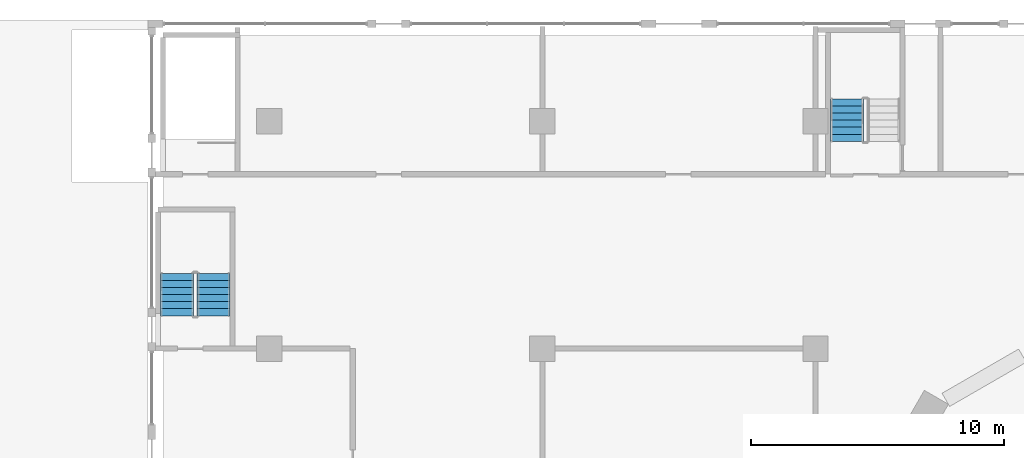
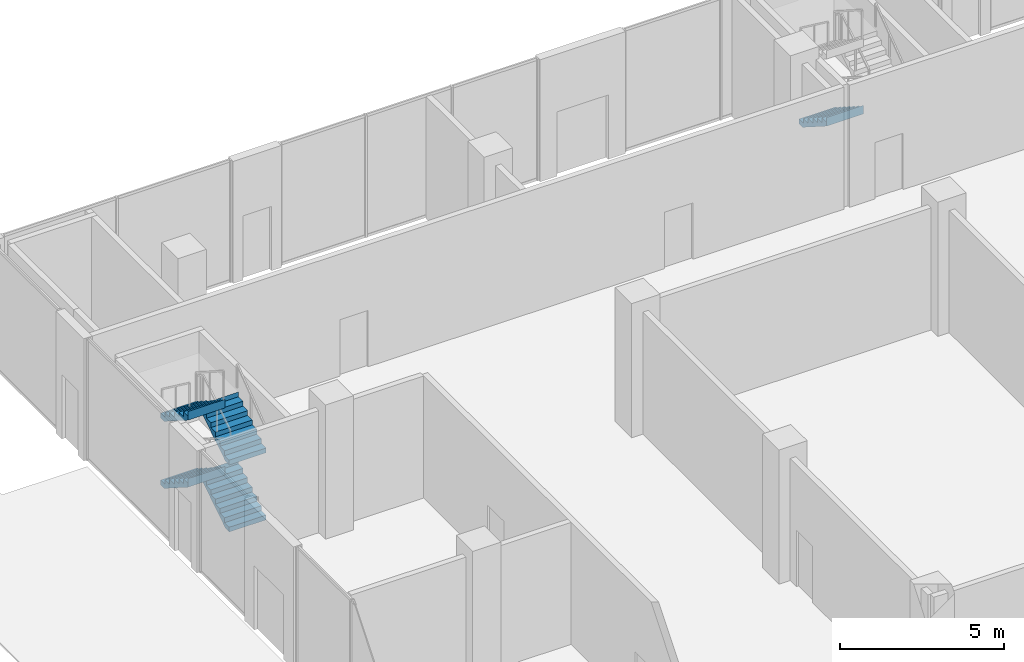
# One storey, part 44 of 57: 5 stair flights, 2 elements without a shape of their own.
"""IFC4 building model written with IfcOpenShell, lengths in metres."""

from ifc_helpers import new_model, si_unit, direction, frame, origin, place, context, subcontext, project, spatial, triangles, material, type_object, element, aggregate, save


model = new_model("IFC4")

# Units and contexts
model_context = context("Model", 3, precision=1e-05, world=origin(), true_north=direction((0.0, 1.0)))
body_context = subcontext(model_context, "Body", "Model", "MODEL_VIEW")
ifc_project = project(units=[si_unit("LENGTHUNIT", "METRE"), si_unit("AREAUNIT", "SQUARE_METRE"), si_unit("VOLUMEUNIT", "CUBIC_METRE"), si_unit("PLANEANGLEUNIT", "RADIAN"), si_unit("MASSUNIT", "GRAM", prefix="KILO")], contexts=[model_context])

# Site, building, storey
site_placement = place(None, origin())
site = spatial("IfcSite", under=ifc_project, at=site_placement, CompositionType="ELEMENT")
building_placement = place(site_placement, origin())
building = spatial("IfcBuilding", under=site, at=building_placement, Name="Beryl Residences", CompositionType="ELEMENT")
storey_placement = place(building_placement, origin())
storey = spatial("IfcBuildingStorey", under=building, at=storey_placement, Name="L00", CompositionType="ELEMENT", Elevation=0.0)

# Stair, stair flight
ifc_material_1 = material(Name="Concrete C40/50", Category="concrete")
stair_type = type_object("IfcStairType", Name="ST1 protected exit stair, half-turn, 1300 mm flights", PredefinedType="HALF_TURN_STAIR", material=ifc_material_1)
stair_1_placement = place(storey_placement, origin())
stair_1 = element("IfcStair", 1, at=stair_1_placement, inside=storey, type_object=stair_type, Name="L00 Podium exit stair 1", PredefinedType="HALF_TURN_STAIR")
ifc_material_2 = material(Name="Concrete C40/50", Category="concrete")
stair_flight_type = type_object("IfcStairFlightType", Name="SF1 stair flight 1300 mm", PredefinedType="STRAIGHT", material=ifc_material_2)
stair_flight_1_placement = place(storey_placement, frame((-20.35009765625, 36.8798828125, 1.25), z_axis=(0.0, 0.0, 1.0), x_axis=(0.0, -1.0, 0.0)))
stair_flight_1 = element("IfcStairFlight", 2, at=stair_flight_1_placement, type_object=stair_flight_type, Name="PS-1 flight 2", NumberOfRisers=7, NumberOfTreads=6, PredefinedType="STRAIGHT", RiserHeight=0.178571429, TreadLength=0.28, context=body_context, shape_type="Tessellation", body=[
    triangles([(0.0, -0.64990234375, 0.0), (0.0, -0.324951171875, 0.0), (0.0, 0.0, 0.0), (0.0, 0.324951171875, 0.0), (0.0, 0.64990234375, 0.0), (0.0, -0.64990234375, 0.178466796875), (0.0, -0.324951171875, 0.178466796875), (0.0, 0.0, 0.178466796875), (0.0, 0.324951171875, 0.178466796875), (0.0, 0.64990234375, 0.178466796875), (0.280029296875, -0.64990234375, 0.178466796875), (0.280029296875, -0.324951171875, 0.178466796875), (0.280029296875, 0.0, 0.178466796875), (0.280029296875, 0.324951171875, 0.178466796875), (0.280029296875, 0.64990234375, 0.178466796875), (0.280029296875, -0.64990234375, 0.357177734375), (0.280029296875, -0.324951171875, 0.357177734375), (0.280029296875, 0.0, 0.357177734375), (0.280029296875, 0.324951171875, 0.357177734375), (0.280029296875, 0.64990234375, 0.357177734375), (0.56005859375, -0.64990234375, 0.357177734375), (0.56005859375, -0.324951171875, 0.357177734375), (0.56005859375, 0.0, 0.357177734375), (0.56005859375, 0.324951171875, 0.357177734375), (0.56005859375, 0.64990234375, 0.357177734375), (0.56005859375, -0.64990234375, 0.53564453125), (0.56005859375, -0.324951171875, 0.53564453125), (0.56005859375, 0.0, 0.53564453125), (0.56005859375, 0.324951171875, 0.53564453125), (0.56005859375, 0.64990234375, 0.53564453125), (0.840087890625, -0.64990234375, 0.53564453125), (0.840087890625, -0.324951171875, 0.53564453125), (0.840087890625, 0.0, 0.53564453125), (0.840087890625, 0.324951171875, 0.53564453125), (0.840087890625, 0.64990234375, 0.53564453125), (0.840087890625, -0.64990234375, 0.71435546875), (0.840087890625, -0.324951171875, 0.71435546875), (0.840087890625, 0.0, 0.71435546875), (0.840087890625, 0.324951171875, 0.71435546875), (0.840087890625, 0.64990234375, 0.71435546875), (1.1201171875, -0.64990234375, 0.71435546875), (1.1201171875, -0.324951171875, 0.71435546875), (1.1201171875, 0.0, 0.71435546875), (1.1201171875, 0.324951171875, 0.71435546875), (1.1201171875, 0.64990234375, 0.71435546875), (1.1201171875, -0.64990234375, 0.892822265625), (1.1201171875, -0.324951171875, 0.892822265625), (1.1201171875, 0.0, 0.892822265625), (1.1201171875, 0.324951171875, 0.892822265625), (1.1201171875, 0.64990234375, 0.892822265625), (1.39990234375, -0.64990234375, 0.892822265625), (1.39990234375, -0.324951171875, 0.892822265625), (1.39990234375, 0.0, 0.892822265625), (1.39990234375, 0.324951171875, 0.892822265625), (1.39990234375, 0.64990234375, 0.892822265625), (1.39990234375, -0.64990234375, 1.071533203125), (1.39990234375, -0.324951171875, 1.071533203125), (1.39990234375, 0.0, 1.071533203125), (1.39990234375, 0.324951171875, 1.071533203125), (1.39990234375, 0.64990234375, 1.071533203125), (1.679931640625, -0.64990234375, 1.071533203125), (1.679931640625, -0.324951171875, 1.071533203125), (1.679931640625, 0.0, 1.071533203125), (1.679931640625, 0.324951171875, 1.071533203125), (1.679931640625, 0.64990234375, 1.071533203125), (1.679931640625, -0.64990234375, 1.25), (1.679931640625, -0.324951171875, 1.25), (1.679931640625, 0.0, 1.25), (1.679931640625, 0.324951171875, 1.25), (1.679931640625, 0.64990234375, 1.25), (1.680908203125, -0.64990234375, 1.25), (1.680908203125, -0.324951171875, 1.25), (1.680908203125, 0.0, 1.25), (1.680908203125, 0.324951171875, 1.25), (1.680908203125, 0.64990234375, 1.25), (1.680908203125, -0.64990234375, 0.928955078125), (1.680908203125, -0.324951171875, 0.928955078125), (1.680908203125, 0.0, 0.928955078125), (1.680908203125, 0.324951171875, 0.928955078125), (1.680908203125, 0.64990234375, 0.928955078125), (0.224365234375, -0.64990234375, 0.0), (0.224365234375, -0.324951171875, 0.0), (0.224365234375, 0.0, 0.0), (0.224365234375, 0.324951171875, 0.0), (0.224365234375, 0.64990234375, 0.0)], [[1, 6, 7], [1, 7, 2], [2, 7, 8], [2, 8, 3], [3, 8, 9], [3, 9, 4], [4, 9, 10], [4, 10, 5], [6, 11, 12], [6, 12, 7], [7, 12, 13], [7, 13, 8], [8, 13, 14], [8, 14, 9], [9, 14, 15], [9, 15, 10], [11, 16, 17], [11, 17, 12], [12, 17, 18], [12, 18, 13], [13, 18, 19], [13, 19, 14], [14, 19, 20], [14, 20, 15], [16, 21, 22], [16, 22, 17], [17, 22, 23], [17, 23, 18], [18, 23, 24], [18, 24, 19], [19, 24, 25], [19, 25, 20], [21, 26, 27], [21, 27, 22], [22, 27, 28], [22, 28, 23], [23, 28, 29], [23, 29, 24], [24, 29, 30], [24, 30, 25], [26, 31, 32], [26, 32, 27], [27, 32, 33], [27, 33, 28], [28, 33, 34], [28, 34, 29], [29, 34, 35], [29, 35, 30], [31, 36, 37], [31, 37, 32], [32, 37, 38], [32, 38, 33], [33, 38, 39], [33, 39, 34], [34, 39, 40], [34, 40, 35], [36, 41, 42], [36, 42, 37], [37, 42, 43], [37, 43, 38], [38, 43, 44], [38, 44, 39], [39, 44, 45], [39, 45, 40], [41, 46, 47], [41, 47, 42], [42, 47, 48], [42, 48, 43], [43, 48, 49], [43, 49, 44], [44, 49, 50], [44, 50, 45], [46, 51, 52], [46, 52, 47], [47, 52, 53], [47, 53, 48], [48, 53, 54], [48, 54, 49], [49, 54, 55], [49, 55, 50], [51, 56, 57], [51, 57, 52], [52, 57, 58], [52, 58, 53], [53, 58, 59], [53, 59, 54], [54, 59, 60], [54, 60, 55], [56, 61, 62], [56, 62, 57], [57, 62, 63], [57, 63, 58], [58, 63, 64], [58, 64, 59], [59, 64, 65], [59, 65, 60], [61, 66, 67], [61, 67, 62], [62, 67, 68], [62, 68, 63], [63, 68, 69], [63, 69, 64], [64, 69, 70], [64, 70, 65], [66, 71, 72], [66, 72, 67], [67, 72, 73], [67, 73, 68], [68, 73, 74], [68, 74, 69], [69, 74, 75], [69, 75, 70], [71, 76, 77], [71, 77, 72], [72, 77, 78], [72, 78, 73], [73, 78, 79], [73, 79, 74], [74, 79, 80], [74, 80, 75], [76, 81, 82], [76, 82, 77], [77, 82, 83], [77, 83, 78], [78, 83, 84], [78, 84, 79], [79, 84, 85], [79, 85, 80], [81, 1, 2], [81, 2, 82], [82, 2, 3], [82, 3, 83], [83, 3, 4], [83, 4, 84], [84, 4, 5], [84, 5, 85], [1, 81, 76], [5, 80, 85], [76, 71, 66], [80, 70, 75], [76, 66, 61], [80, 65, 70], [76, 61, 56], [80, 60, 65], [76, 56, 51], [80, 55, 60], [51, 46, 41], [55, 45, 50], [76, 51, 41], [80, 45, 55], [41, 36, 31], [45, 35, 40], [76, 41, 31], [80, 35, 45], [31, 26, 21], [35, 25, 30], [76, 31, 21], [80, 25, 35], [21, 16, 11], [25, 15, 20], [76, 21, 11], [80, 15, 25], [1, 76, 11], [5, 15, 80], [11, 6, 1], [15, 5, 10]], closed=True),
])
aggregate(stair_1, [stair_flight_1])

# Stair, stair flights
stair_2_placement = place(storey_placement, origin())
stair_2 = element("IfcStair", 3, at=stair_2_placement, inside=storey, type_object=stair_type, Name="L00 Podium exit stair 3", PredefinedType="HALF_TURN_STAIR")
stair_flight_2_placement = place(storey_placement, frame((-45.39990234375, 28.300048828125, 0.0), z_axis=(0.0, 0.0, 1.0), x_axis=(0.0, 1.0, 0.0)))
stair_flight_2 = element("IfcStairFlight", 4, at=stair_flight_2_placement, type_object=stair_flight_type, Name="PS-3 flight 1", NumberOfRisers=7, NumberOfTreads=6, PredefinedType="STRAIGHT", RiserHeight=0.178571429, TreadLength=0.28, context=body_context, shape_type="Tessellation", body=[
    triangles([(0.0, -0.64990234375, 0.0), (0.0, -0.324951171875, 0.0), (0.0, 0.0, 0.0), (0.0, 0.324951171875, 0.0), (0.0, 0.64990234375, 0.0), (0.0, -0.64990234375, 0.178466796875), (0.0, -0.324951171875, 0.178466796875), (0.0, 0.0, 0.178466796875), (0.0, 0.324951171875, 0.178466796875), (0.0, 0.64990234375, 0.178466796875), (0.280029296875, -0.64990234375, 0.178466796875), (0.280029296875, -0.324951171875, 0.178466796875), (0.280029296875, 0.0, 0.178466796875), (0.280029296875, 0.324951171875, 0.178466796875), (0.280029296875, 0.64990234375, 0.178466796875), (0.280029296875, -0.64990234375, 0.357177734375), (0.280029296875, -0.324951171875, 0.357177734375), (0.280029296875, 0.0, 0.357177734375), (0.280029296875, 0.324951171875, 0.357177734375), (0.280029296875, 0.64990234375, 0.357177734375), (0.56005859375, -0.64990234375, 0.357177734375), (0.56005859375, -0.324951171875, 0.357177734375), (0.56005859375, 0.0, 0.357177734375), (0.56005859375, 0.324951171875, 0.357177734375), (0.56005859375, 0.64990234375, 0.357177734375), (0.56005859375, -0.64990234375, 0.53564453125), (0.56005859375, -0.324951171875, 0.53564453125), (0.56005859375, 0.0, 0.53564453125), (0.56005859375, 0.324951171875, 0.53564453125), (0.56005859375, 0.64990234375, 0.53564453125), (0.840087890625, -0.64990234375, 0.53564453125), (0.840087890625, -0.324951171875, 0.53564453125), (0.840087890625, 0.0, 0.53564453125), (0.840087890625, 0.324951171875, 0.53564453125), (0.840087890625, 0.64990234375, 0.53564453125), (0.840087890625, -0.64990234375, 0.71435546875), (0.840087890625, -0.324951171875, 0.71435546875), (0.840087890625, 0.0, 0.71435546875), (0.840087890625, 0.324951171875, 0.71435546875), (0.840087890625, 0.64990234375, 0.71435546875), (1.1201171875, -0.64990234375, 0.71435546875), (1.1201171875, -0.324951171875, 0.71435546875), (1.1201171875, 0.0, 0.71435546875), (1.1201171875, 0.324951171875, 0.71435546875), (1.1201171875, 0.64990234375, 0.71435546875), (1.1201171875, -0.64990234375, 0.892822265625), (1.1201171875, -0.324951171875, 0.892822265625), (1.1201171875, 0.0, 0.892822265625), (1.1201171875, 0.324951171875, 0.892822265625), (1.1201171875, 0.64990234375, 0.892822265625), (1.39990234375, -0.64990234375, 0.892822265625), (1.39990234375, -0.324951171875, 0.892822265625), (1.39990234375, 0.0, 0.892822265625), (1.39990234375, 0.324951171875, 0.892822265625), (1.39990234375, 0.64990234375, 0.892822265625), (1.39990234375, -0.64990234375, 1.071533203125), (1.39990234375, -0.324951171875, 1.071533203125), (1.39990234375, 0.0, 1.071533203125), (1.39990234375, 0.324951171875, 1.071533203125), (1.39990234375, 0.64990234375, 1.071533203125), (1.679931640625, -0.64990234375, 1.071533203125), (1.679931640625, -0.324951171875, 1.071533203125), (1.679931640625, 0.0, 1.071533203125), (1.679931640625, 0.324951171875, 1.071533203125), (1.679931640625, 0.64990234375, 1.071533203125), (1.679931640625, -0.64990234375, 1.25), (1.679931640625, -0.324951171875, 1.25), (1.679931640625, 0.0, 1.25), (1.679931640625, 0.324951171875, 1.25), (1.679931640625, 0.64990234375, 1.25), (1.680908203125, -0.64990234375, 1.25), (1.680908203125, -0.324951171875, 1.25), (1.680908203125, 0.0, 1.25), (1.680908203125, 0.324951171875, 1.25), (1.680908203125, 0.64990234375, 1.25), (1.680908203125, -0.64990234375, 0.928955078125), (1.680908203125, -0.324951171875, 0.928955078125), (1.680908203125, 0.0, 0.928955078125), (1.680908203125, 0.324951171875, 0.928955078125), (1.680908203125, 0.64990234375, 0.928955078125), (0.224365234375, -0.64990234375, 0.0), (0.224365234375, -0.324951171875, 0.0), (0.224365234375, 0.0, 0.0), (0.224365234375, 0.324951171875, 0.0), (0.224365234375, 0.64990234375, 0.0)], [[1, 6, 7], [1, 7, 2], [2, 7, 8], [2, 8, 3], [3, 8, 9], [3, 9, 4], [4, 9, 10], [4, 10, 5], [6, 11, 12], [6, 12, 7], [7, 12, 13], [7, 13, 8], [8, 13, 14], [8, 14, 9], [9, 14, 15], [9, 15, 10], [11, 16, 17], [11, 17, 12], [12, 17, 18], [12, 18, 13], [13, 18, 19], [13, 19, 14], [14, 19, 20], [14, 20, 15], [16, 21, 22], [16, 22, 17], [17, 22, 23], [17, 23, 18], [18, 23, 24], [18, 24, 19], [19, 24, 25], [19, 25, 20], [21, 26, 27], [21, 27, 22], [22, 27, 28], [22, 28, 23], [23, 28, 29], [23, 29, 24], [24, 29, 30], [24, 30, 25], [26, 31, 32], [26, 32, 27], [27, 32, 33], [27, 33, 28], [28, 33, 34], [28, 34, 29], [29, 34, 35], [29, 35, 30], [31, 36, 37], [31, 37, 32], [32, 37, 38], [32, 38, 33], [33, 38, 39], [33, 39, 34], [34, 39, 40], [34, 40, 35], [36, 41, 42], [36, 42, 37], [37, 42, 43], [37, 43, 38], [38, 43, 44], [38, 44, 39], [39, 44, 45], [39, 45, 40], [41, 46, 47], [41, 47, 42], [42, 47, 48], [42, 48, 43], [43, 48, 49], [43, 49, 44], [44, 49, 50], [44, 50, 45], [46, 51, 52], [46, 52, 47], [47, 52, 53], [47, 53, 48], [48, 53, 54], [48, 54, 49], [49, 54, 55], [49, 55, 50], [51, 56, 57], [51, 57, 52], [52, 57, 58], [52, 58, 53], [53, 58, 59], [53, 59, 54], [54, 59, 60], [54, 60, 55], [56, 61, 62], [56, 62, 57], [57, 62, 63], [57, 63, 58], [58, 63, 64], [58, 64, 59], [59, 64, 65], [59, 65, 60], [61, 66, 67], [61, 67, 62], [62, 67, 68], [62, 68, 63], [63, 68, 69], [63, 69, 64], [64, 69, 70], [64, 70, 65], [66, 71, 72], [66, 72, 67], [67, 72, 73], [67, 73, 68], [68, 73, 74], [68, 74, 69], [69, 74, 75], [69, 75, 70], [71, 76, 77], [71, 77, 72], [72, 77, 78], [72, 78, 73], [73, 78, 79], [73, 79, 74], [74, 79, 80], [74, 80, 75], [76, 81, 82], [76, 82, 77], [77, 82, 83], [77, 83, 78], [78, 83, 84], [78, 84, 79], [79, 84, 85], [79, 85, 80], [81, 1, 2], [81, 2, 82], [82, 2, 3], [82, 3, 83], [83, 3, 4], [83, 4, 84], [84, 4, 5], [84, 5, 85], [1, 81, 76], [5, 80, 85], [76, 71, 66], [80, 70, 75], [76, 66, 61], [80, 65, 70], [76, 61, 56], [80, 60, 65], [76, 56, 51], [80, 55, 60], [51, 46, 41], [55, 45, 50], [76, 51, 41], [80, 45, 55], [41, 36, 31], [45, 35, 40], [76, 41, 31], [80, 35, 45], [31, 26, 21], [35, 25, 30], [76, 31, 21], [80, 25, 35], [21, 16, 11], [25, 15, 20], [76, 21, 11], [80, 15, 25], [1, 76, 11], [5, 15, 80], [11, 6, 1], [15, 5, 10]], closed=True),
])
stair_flight_3_placement = place(storey_placement, frame((-46.85009765625, 29.97998046875, 1.25), z_axis=(0.0, 0.0, 1.0), x_axis=(0.0, -1.0, 0.0)))
stair_flight_3 = element("IfcStairFlight", 5, at=stair_flight_3_placement, type_object=stair_flight_type, Name="PS-3 flight 2", NumberOfRisers=7, NumberOfTreads=6, PredefinedType="STRAIGHT", RiserHeight=0.178571429, TreadLength=0.28, context=body_context, shape_type="Tessellation", body=[
    triangles([(0.0, -0.64990234375, 0.0), (0.0, -0.324951171875, 0.0), (0.0, 0.0, 0.0), (0.0, 0.324951171875, 0.0), (0.0, 0.64990234375, 0.0), (0.0, -0.64990234375, 0.178466796875), (0.0, -0.324951171875, 0.178466796875), (0.0, 0.0, 0.178466796875), (0.0, 0.324951171875, 0.178466796875), (0.0, 0.64990234375, 0.178466796875), (0.280029296875, -0.64990234375, 0.178466796875), (0.280029296875, -0.324951171875, 0.178466796875), (0.280029296875, 0.0, 0.178466796875), (0.280029296875, 0.324951171875, 0.178466796875), (0.280029296875, 0.64990234375, 0.178466796875), (0.280029296875, -0.64990234375, 0.357177734375), (0.280029296875, -0.324951171875, 0.357177734375), (0.280029296875, 0.0, 0.357177734375), (0.280029296875, 0.324951171875, 0.357177734375), (0.280029296875, 0.64990234375, 0.357177734375), (0.56005859375, -0.64990234375, 0.357177734375), (0.56005859375, -0.324951171875, 0.357177734375), (0.56005859375, 0.0, 0.357177734375), (0.56005859375, 0.324951171875, 0.357177734375), (0.56005859375, 0.64990234375, 0.357177734375), (0.56005859375, -0.64990234375, 0.53564453125), (0.56005859375, -0.324951171875, 0.53564453125), (0.56005859375, 0.0, 0.53564453125), (0.56005859375, 0.324951171875, 0.53564453125), (0.56005859375, 0.64990234375, 0.53564453125), (0.840087890625, -0.64990234375, 0.53564453125), (0.840087890625, -0.324951171875, 0.53564453125), (0.840087890625, 0.0, 0.53564453125), (0.840087890625, 0.324951171875, 0.53564453125), (0.840087890625, 0.64990234375, 0.53564453125), (0.840087890625, -0.64990234375, 0.71435546875), (0.840087890625, -0.324951171875, 0.71435546875), (0.840087890625, 0.0, 0.71435546875), (0.840087890625, 0.324951171875, 0.71435546875), (0.840087890625, 0.64990234375, 0.71435546875), (1.1201171875, -0.64990234375, 0.71435546875), (1.1201171875, -0.324951171875, 0.71435546875), (1.1201171875, 0.0, 0.71435546875), (1.1201171875, 0.324951171875, 0.71435546875), (1.1201171875, 0.64990234375, 0.71435546875), (1.1201171875, -0.64990234375, 0.892822265625), (1.1201171875, -0.324951171875, 0.892822265625), (1.1201171875, 0.0, 0.892822265625), (1.1201171875, 0.324951171875, 0.892822265625), (1.1201171875, 0.64990234375, 0.892822265625), (1.39990234375, -0.64990234375, 0.892822265625), (1.39990234375, -0.324951171875, 0.892822265625), (1.39990234375, 0.0, 0.892822265625), (1.39990234375, 0.324951171875, 0.892822265625), (1.39990234375, 0.64990234375, 0.892822265625), (1.39990234375, -0.64990234375, 1.071533203125), (1.39990234375, -0.324951171875, 1.071533203125), (1.39990234375, 0.0, 1.071533203125), (1.39990234375, 0.324951171875, 1.071533203125), (1.39990234375, 0.64990234375, 1.071533203125), (1.679931640625, -0.64990234375, 1.071533203125), (1.679931640625, -0.324951171875, 1.071533203125), (1.679931640625, 0.0, 1.071533203125), (1.679931640625, 0.324951171875, 1.071533203125), (1.679931640625, 0.64990234375, 1.071533203125), (1.679931640625, -0.64990234375, 1.25), (1.679931640625, -0.324951171875, 1.25), (1.679931640625, 0.0, 1.25), (1.679931640625, 0.324951171875, 1.25), (1.679931640625, 0.64990234375, 1.25), (1.680908203125, -0.64990234375, 1.25), (1.680908203125, -0.324951171875, 1.25), (1.680908203125, 0.0, 1.25), (1.680908203125, 0.324951171875, 1.25), (1.680908203125, 0.64990234375, 1.25), (1.680908203125, -0.64990234375, 0.928955078125), (1.680908203125, -0.324951171875, 0.928955078125), (1.680908203125, 0.0, 0.928955078125), (1.680908203125, 0.324951171875, 0.928955078125), (1.680908203125, 0.64990234375, 0.928955078125), (0.224365234375, -0.64990234375, 0.0), (0.224365234375, -0.324951171875, 0.0), (0.224365234375, 0.0, 0.0), (0.224365234375, 0.324951171875, 0.0), (0.224365234375, 0.64990234375, 0.0)], [[1, 6, 7], [1, 7, 2], [2, 7, 8], [2, 8, 3], [3, 8, 9], [3, 9, 4], [4, 9, 10], [4, 10, 5], [6, 11, 12], [6, 12, 7], [7, 12, 13], [7, 13, 8], [8, 13, 14], [8, 14, 9], [9, 14, 15], [9, 15, 10], [11, 16, 17], [11, 17, 12], [12, 17, 18], [12, 18, 13], [13, 18, 19], [13, 19, 14], [14, 19, 20], [14, 20, 15], [16, 21, 22], [16, 22, 17], [17, 22, 23], [17, 23, 18], [18, 23, 24], [18, 24, 19], [19, 24, 25], [19, 25, 20], [21, 26, 27], [21, 27, 22], [22, 27, 28], [22, 28, 23], [23, 28, 29], [23, 29, 24], [24, 29, 30], [24, 30, 25], [26, 31, 32], [26, 32, 27], [27, 32, 33], [27, 33, 28], [28, 33, 34], [28, 34, 29], [29, 34, 35], [29, 35, 30], [31, 36, 37], [31, 37, 32], [32, 37, 38], [32, 38, 33], [33, 38, 39], [33, 39, 34], [34, 39, 40], [34, 40, 35], [36, 41, 42], [36, 42, 37], [37, 42, 43], [37, 43, 38], [38, 43, 44], [38, 44, 39], [39, 44, 45], [39, 45, 40], [41, 46, 47], [41, 47, 42], [42, 47, 48], [42, 48, 43], [43, 48, 49], [43, 49, 44], [44, 49, 50], [44, 50, 45], [46, 51, 52], [46, 52, 47], [47, 52, 53], [47, 53, 48], [48, 53, 54], [48, 54, 49], [49, 54, 55], [49, 55, 50], [51, 56, 57], [51, 57, 52], [52, 57, 58], [52, 58, 53], [53, 58, 59], [53, 59, 54], [54, 59, 60], [54, 60, 55], [56, 61, 62], [56, 62, 57], [57, 62, 63], [57, 63, 58], [58, 63, 64], [58, 64, 59], [59, 64, 65], [59, 65, 60], [61, 66, 67], [61, 67, 62], [62, 67, 68], [62, 68, 63], [63, 68, 69], [63, 69, 64], [64, 69, 70], [64, 70, 65], [66, 71, 72], [66, 72, 67], [67, 72, 73], [67, 73, 68], [68, 73, 74], [68, 74, 69], [69, 74, 75], [69, 75, 70], [71, 76, 77], [71, 77, 72], [72, 77, 78], [72, 78, 73], [73, 78, 79], [73, 79, 74], [74, 79, 80], [74, 80, 75], [76, 81, 82], [76, 82, 77], [77, 82, 83], [77, 83, 78], [78, 83, 84], [78, 84, 79], [79, 84, 85], [79, 85, 80], [81, 1, 2], [81, 2, 82], [82, 2, 3], [82, 3, 83], [83, 3, 4], [83, 4, 84], [84, 4, 5], [84, 5, 85], [1, 81, 76], [5, 80, 85], [76, 71, 66], [80, 70, 75], [76, 66, 61], [80, 65, 70], [76, 61, 56], [80, 60, 65], [76, 56, 51], [80, 55, 60], [51, 46, 41], [55, 45, 50], [76, 51, 41], [80, 45, 55], [41, 36, 31], [45, 35, 40], [76, 41, 31], [80, 35, 45], [31, 26, 21], [35, 25, 30], [76, 31, 21], [80, 25, 35], [21, 16, 11], [25, 15, 20], [76, 21, 11], [80, 15, 25], [1, 76, 11], [5, 15, 80], [11, 6, 1], [15, 5, 10]], closed=True),
])
stair_flight_4_placement = place(storey_placement, frame((-45.39990234375, 28.300048828125, 2.5), z_axis=(0.0, 0.0, 1.0), x_axis=(0.0, 1.0, 0.0)))
stair_flight_4 = element("IfcStairFlight", 6, at=stair_flight_4_placement, type_object=stair_flight_type, Name="PS-3 flight 3", NumberOfRisers=7, NumberOfTreads=6, PredefinedType="STRAIGHT", RiserHeight=0.178571429, TreadLength=0.28, context=body_context, shape_type="Tessellation", body=[
    triangles([(0.0, -0.64990234375, 0.0), (0.0, -0.324951171875, 0.0), (0.0, 0.0, 0.0), (0.0, 0.324951171875, 0.0), (0.0, 0.64990234375, 0.0), (0.0, -0.64990234375, 0.178466796875), (0.0, -0.324951171875, 0.178466796875), (0.0, 0.0, 0.178466796875), (0.0, 0.324951171875, 0.178466796875), (0.0, 0.64990234375, 0.178466796875), (0.280029296875, -0.64990234375, 0.178466796875), (0.280029296875, -0.324951171875, 0.178466796875), (0.280029296875, 0.0, 0.178466796875), (0.280029296875, 0.324951171875, 0.178466796875), (0.280029296875, 0.64990234375, 0.178466796875), (0.280029296875, -0.64990234375, 0.357177734375), (0.280029296875, -0.324951171875, 0.357177734375), (0.280029296875, 0.0, 0.357177734375), (0.280029296875, 0.324951171875, 0.357177734375), (0.280029296875, 0.64990234375, 0.357177734375), (0.56005859375, -0.64990234375, 0.357177734375), (0.56005859375, -0.324951171875, 0.357177734375), (0.56005859375, 0.0, 0.357177734375), (0.56005859375, 0.324951171875, 0.357177734375), (0.56005859375, 0.64990234375, 0.357177734375), (0.56005859375, -0.64990234375, 0.53564453125), (0.56005859375, -0.324951171875, 0.53564453125), (0.56005859375, 0.0, 0.53564453125), (0.56005859375, 0.324951171875, 0.53564453125), (0.56005859375, 0.64990234375, 0.53564453125), (0.840087890625, -0.64990234375, 0.53564453125), (0.840087890625, -0.324951171875, 0.53564453125), (0.840087890625, 0.0, 0.53564453125), (0.840087890625, 0.324951171875, 0.53564453125), (0.840087890625, 0.64990234375, 0.53564453125), (0.840087890625, -0.64990234375, 0.71435546875), (0.840087890625, -0.324951171875, 0.71435546875), (0.840087890625, 0.0, 0.71435546875), (0.840087890625, 0.324951171875, 0.71435546875), (0.840087890625, 0.64990234375, 0.71435546875), (1.1201171875, -0.64990234375, 0.71435546875), (1.1201171875, -0.324951171875, 0.71435546875), (1.1201171875, 0.0, 0.71435546875), (1.1201171875, 0.324951171875, 0.71435546875), (1.1201171875, 0.64990234375, 0.71435546875), (1.1201171875, -0.64990234375, 0.892822265625), (1.1201171875, -0.324951171875, 0.892822265625), (1.1201171875, 0.0, 0.892822265625), (1.1201171875, 0.324951171875, 0.892822265625), (1.1201171875, 0.64990234375, 0.892822265625), (1.39990234375, -0.64990234375, 0.892822265625), (1.39990234375, -0.324951171875, 0.892822265625), (1.39990234375, 0.0, 0.892822265625), (1.39990234375, 0.324951171875, 0.892822265625), (1.39990234375, 0.64990234375, 0.892822265625), (1.39990234375, -0.64990234375, 1.071533203125), (1.39990234375, -0.324951171875, 1.071533203125), (1.39990234375, 0.0, 1.071533203125), (1.39990234375, 0.324951171875, 1.071533203125), (1.39990234375, 0.64990234375, 1.071533203125), (1.679931640625, -0.64990234375, 1.071533203125), (1.679931640625, -0.324951171875, 1.071533203125), (1.679931640625, 0.0, 1.071533203125), (1.679931640625, 0.324951171875, 1.071533203125), (1.679931640625, 0.64990234375, 1.071533203125), (1.679931640625, -0.64990234375, 1.25), (1.679931640625, -0.324951171875, 1.25), (1.679931640625, 0.0, 1.25), (1.679931640625, 0.324951171875, 1.25), (1.679931640625, 0.64990234375, 1.25), (1.680908203125, -0.64990234375, 1.25), (1.680908203125, -0.324951171875, 1.25), (1.680908203125, 0.0, 1.25), (1.680908203125, 0.324951171875, 1.25), (1.680908203125, 0.64990234375, 1.25), (1.680908203125, -0.64990234375, 0.928955078125), (1.680908203125, -0.324951171875, 0.928955078125), (1.680908203125, 0.0, 0.928955078125), (1.680908203125, 0.324951171875, 0.928955078125), (1.680908203125, 0.64990234375, 0.928955078125), (0.224365234375, -0.64990234375, 0.0), (0.224365234375, -0.324951171875, 0.0), (0.224365234375, 0.0, 0.0), (0.224365234375, 0.324951171875, 0.0), (0.224365234375, 0.64990234375, 0.0)], [[1, 6, 7], [1, 7, 2], [2, 7, 8], [2, 8, 3], [3, 8, 9], [3, 9, 4], [4, 9, 10], [4, 10, 5], [6, 11, 12], [6, 12, 7], [7, 12, 13], [7, 13, 8], [8, 13, 14], [8, 14, 9], [9, 14, 15], [9, 15, 10], [11, 16, 17], [11, 17, 12], [12, 17, 18], [12, 18, 13], [13, 18, 19], [13, 19, 14], [14, 19, 20], [14, 20, 15], [16, 21, 22], [16, 22, 17], [17, 22, 23], [17, 23, 18], [18, 23, 24], [18, 24, 19], [19, 24, 25], [19, 25, 20], [21, 26, 27], [21, 27, 22], [22, 27, 28], [22, 28, 23], [23, 28, 29], [23, 29, 24], [24, 29, 30], [24, 30, 25], [26, 31, 32], [26, 32, 27], [27, 32, 33], [27, 33, 28], [28, 33, 34], [28, 34, 29], [29, 34, 35], [29, 35, 30], [31, 36, 37], [31, 37, 32], [32, 37, 38], [32, 38, 33], [33, 38, 39], [33, 39, 34], [34, 39, 40], [34, 40, 35], [36, 41, 42], [36, 42, 37], [37, 42, 43], [37, 43, 38], [38, 43, 44], [38, 44, 39], [39, 44, 45], [39, 45, 40], [41, 46, 47], [41, 47, 42], [42, 47, 48], [42, 48, 43], [43, 48, 49], [43, 49, 44], [44, 49, 50], [44, 50, 45], [46, 51, 52], [46, 52, 47], [47, 52, 53], [47, 53, 48], [48, 53, 54], [48, 54, 49], [49, 54, 55], [49, 55, 50], [51, 56, 57], [51, 57, 52], [52, 57, 58], [52, 58, 53], [53, 58, 59], [53, 59, 54], [54, 59, 60], [54, 60, 55], [56, 61, 62], [56, 62, 57], [57, 62, 63], [57, 63, 58], [58, 63, 64], [58, 64, 59], [59, 64, 65], [59, 65, 60], [61, 66, 67], [61, 67, 62], [62, 67, 68], [62, 68, 63], [63, 68, 69], [63, 69, 64], [64, 69, 70], [64, 70, 65], [66, 71, 72], [66, 72, 67], [67, 72, 73], [67, 73, 68], [68, 73, 74], [68, 74, 69], [69, 74, 75], [69, 75, 70], [71, 76, 77], [71, 77, 72], [72, 77, 78], [72, 78, 73], [73, 78, 79], [73, 79, 74], [74, 79, 80], [74, 80, 75], [76, 81, 82], [76, 82, 77], [77, 82, 83], [77, 83, 78], [78, 83, 84], [78, 84, 79], [79, 84, 85], [79, 85, 80], [81, 1, 2], [81, 2, 82], [82, 2, 3], [82, 3, 83], [83, 3, 4], [83, 4, 84], [84, 4, 5], [84, 5, 85], [1, 81, 76], [5, 80, 85], [76, 71, 66], [80, 70, 75], [76, 66, 61], [80, 65, 70], [76, 61, 56], [80, 60, 65], [76, 56, 51], [80, 55, 60], [51, 46, 41], [55, 45, 50], [76, 51, 41], [80, 45, 55], [41, 36, 31], [45, 35, 40], [76, 41, 31], [80, 35, 45], [31, 26, 21], [35, 25, 30], [76, 31, 21], [80, 25, 35], [21, 16, 11], [25, 15, 20], [76, 21, 11], [80, 15, 25], [1, 76, 11], [5, 15, 80], [11, 6, 1], [15, 5, 10]], closed=True),
])
stair_flight_5_placement = place(storey_placement, frame((-46.85009765625, 29.97998046875, 3.75), z_axis=(0.0, 0.0, 1.0), x_axis=(0.0, -1.0, 0.0)))
stair_flight_5 = element("IfcStairFlight", 7, at=stair_flight_5_placement, type_object=stair_flight_type, Name="PS-3 flight 4", NumberOfRisers=7, NumberOfTreads=6, PredefinedType="STRAIGHT", RiserHeight=0.178571429, TreadLength=0.28, context=body_context, shape_type="Tessellation", body=[
    triangles([(0.0, -0.64990234375, 0.0), (0.0, -0.324951171875, 0.0), (0.0, 0.0, 0.0), (0.0, 0.324951171875, 0.0), (0.0, 0.64990234375, 0.0), (0.0, -0.64990234375, 0.178466796875), (0.0, -0.324951171875, 0.178466796875), (0.0, 0.0, 0.178466796875), (0.0, 0.324951171875, 0.178466796875), (0.0, 0.64990234375, 0.178466796875), (0.280029296875, -0.64990234375, 0.178466796875), (0.280029296875, -0.324951171875, 0.178466796875), (0.280029296875, 0.0, 0.178466796875), (0.280029296875, 0.324951171875, 0.178466796875), (0.280029296875, 0.64990234375, 0.178466796875), (0.280029296875, -0.64990234375, 0.357177734375), (0.280029296875, -0.324951171875, 0.357177734375), (0.280029296875, 0.0, 0.357177734375), (0.280029296875, 0.324951171875, 0.357177734375), (0.280029296875, 0.64990234375, 0.357177734375), (0.56005859375, -0.64990234375, 0.357177734375), (0.56005859375, -0.324951171875, 0.357177734375), (0.56005859375, 0.0, 0.357177734375), (0.56005859375, 0.324951171875, 0.357177734375), (0.56005859375, 0.64990234375, 0.357177734375), (0.56005859375, -0.64990234375, 0.53564453125), (0.56005859375, -0.324951171875, 0.53564453125), (0.56005859375, 0.0, 0.53564453125), (0.56005859375, 0.324951171875, 0.53564453125), (0.56005859375, 0.64990234375, 0.53564453125), (0.840087890625, -0.64990234375, 0.53564453125), (0.840087890625, -0.324951171875, 0.53564453125), (0.840087890625, 0.0, 0.53564453125), (0.840087890625, 0.324951171875, 0.53564453125), (0.840087890625, 0.64990234375, 0.53564453125), (0.840087890625, -0.64990234375, 0.71435546875), (0.840087890625, -0.324951171875, 0.71435546875), (0.840087890625, 0.0, 0.71435546875), (0.840087890625, 0.324951171875, 0.71435546875), (0.840087890625, 0.64990234375, 0.71435546875), (1.1201171875, -0.64990234375, 0.71435546875), (1.1201171875, -0.324951171875, 0.71435546875), (1.1201171875, 0.0, 0.71435546875), (1.1201171875, 0.324951171875, 0.71435546875), (1.1201171875, 0.64990234375, 0.71435546875), (1.1201171875, -0.64990234375, 0.892822265625), (1.1201171875, -0.324951171875, 0.892822265625), (1.1201171875, 0.0, 0.892822265625), (1.1201171875, 0.324951171875, 0.892822265625), (1.1201171875, 0.64990234375, 0.892822265625), (1.39990234375, -0.64990234375, 0.892822265625), (1.39990234375, -0.324951171875, 0.892822265625), (1.39990234375, 0.0, 0.892822265625), (1.39990234375, 0.324951171875, 0.892822265625), (1.39990234375, 0.64990234375, 0.892822265625), (1.39990234375, -0.64990234375, 1.071533203125), (1.39990234375, -0.324951171875, 1.071533203125), (1.39990234375, 0.0, 1.071533203125), (1.39990234375, 0.324951171875, 1.071533203125), (1.39990234375, 0.64990234375, 1.071533203125), (1.679931640625, -0.64990234375, 1.071533203125), (1.679931640625, -0.324951171875, 1.071533203125), (1.679931640625, 0.0, 1.071533203125), (1.679931640625, 0.324951171875, 1.071533203125), (1.679931640625, 0.64990234375, 1.071533203125), (1.679931640625, -0.64990234375, 1.25), (1.679931640625, -0.324951171875, 1.25), (1.679931640625, 0.0, 1.25), (1.679931640625, 0.324951171875, 1.25), (1.679931640625, 0.64990234375, 1.25), (1.680908203125, -0.64990234375, 1.25), (1.680908203125, -0.324951171875, 1.25), (1.680908203125, 0.0, 1.25), (1.680908203125, 0.324951171875, 1.25), (1.680908203125, 0.64990234375, 1.25), (1.680908203125, -0.64990234375, 0.928955078125), (1.680908203125, -0.324951171875, 0.928955078125), (1.680908203125, 0.0, 0.928955078125), (1.680908203125, 0.324951171875, 0.928955078125), (1.680908203125, 0.64990234375, 0.928955078125), (0.224365234375, -0.64990234375, 0.0), (0.224365234375, -0.324951171875, 0.0), (0.224365234375, 0.0, 0.0), (0.224365234375, 0.324951171875, 0.0), (0.224365234375, 0.64990234375, 0.0)], [[1, 6, 7], [1, 7, 2], [2, 7, 8], [2, 8, 3], [3, 8, 9], [3, 9, 4], [4, 9, 10], [4, 10, 5], [6, 11, 12], [6, 12, 7], [7, 12, 13], [7, 13, 8], [8, 13, 14], [8, 14, 9], [9, 14, 15], [9, 15, 10], [11, 16, 17], [11, 17, 12], [12, 17, 18], [12, 18, 13], [13, 18, 19], [13, 19, 14], [14, 19, 20], [14, 20, 15], [16, 21, 22], [16, 22, 17], [17, 22, 23], [17, 23, 18], [18, 23, 24], [18, 24, 19], [19, 24, 25], [19, 25, 20], [21, 26, 27], [21, 27, 22], [22, 27, 28], [22, 28, 23], [23, 28, 29], [23, 29, 24], [24, 29, 30], [24, 30, 25], [26, 31, 32], [26, 32, 27], [27, 32, 33], [27, 33, 28], [28, 33, 34], [28, 34, 29], [29, 34, 35], [29, 35, 30], [31, 36, 37], [31, 37, 32], [32, 37, 38], [32, 38, 33], [33, 38, 39], [33, 39, 34], [34, 39, 40], [34, 40, 35], [36, 41, 42], [36, 42, 37], [37, 42, 43], [37, 43, 38], [38, 43, 44], [38, 44, 39], [39, 44, 45], [39, 45, 40], [41, 46, 47], [41, 47, 42], [42, 47, 48], [42, 48, 43], [43, 48, 49], [43, 49, 44], [44, 49, 50], [44, 50, 45], [46, 51, 52], [46, 52, 47], [47, 52, 53], [47, 53, 48], [48, 53, 54], [48, 54, 49], [49, 54, 55], [49, 55, 50], [51, 56, 57], [51, 57, 52], [52, 57, 58], [52, 58, 53], [53, 58, 59], [53, 59, 54], [54, 59, 60], [54, 60, 55], [56, 61, 62], [56, 62, 57], [57, 62, 63], [57, 63, 58], [58, 63, 64], [58, 64, 59], [59, 64, 65], [59, 65, 60], [61, 66, 67], [61, 67, 62], [62, 67, 68], [62, 68, 63], [63, 68, 69], [63, 69, 64], [64, 69, 70], [64, 70, 65], [66, 71, 72], [66, 72, 67], [67, 72, 73], [67, 73, 68], [68, 73, 74], [68, 74, 69], [69, 74, 75], [69, 75, 70], [71, 76, 77], [71, 77, 72], [72, 77, 78], [72, 78, 73], [73, 78, 79], [73, 79, 74], [74, 79, 80], [74, 80, 75], [76, 81, 82], [76, 82, 77], [77, 82, 83], [77, 83, 78], [78, 83, 84], [78, 84, 79], [79, 84, 85], [79, 85, 80], [81, 1, 2], [81, 2, 82], [82, 2, 3], [82, 3, 83], [83, 3, 4], [83, 4, 84], [84, 4, 5], [84, 5, 85], [1, 81, 76], [5, 80, 85], [76, 71, 66], [80, 70, 75], [76, 66, 61], [80, 65, 70], [76, 61, 56], [80, 60, 65], [76, 56, 51], [80, 55, 60], [51, 46, 41], [55, 45, 50], [76, 51, 41], [80, 45, 55], [41, 36, 31], [45, 35, 40], [76, 41, 31], [80, 35, 45], [31, 26, 21], [35, 25, 30], [76, 31, 21], [80, 25, 35], [21, 16, 11], [25, 15, 20], [76, 21, 11], [80, 15, 25], [1, 76, 11], [5, 15, 80], [11, 6, 1], [15, 5, 10]], closed=True),
])
aggregate(stair_2, [stair_flight_2, stair_flight_3, stair_flight_4, stair_flight_5])

save(model, "model.ifc")
